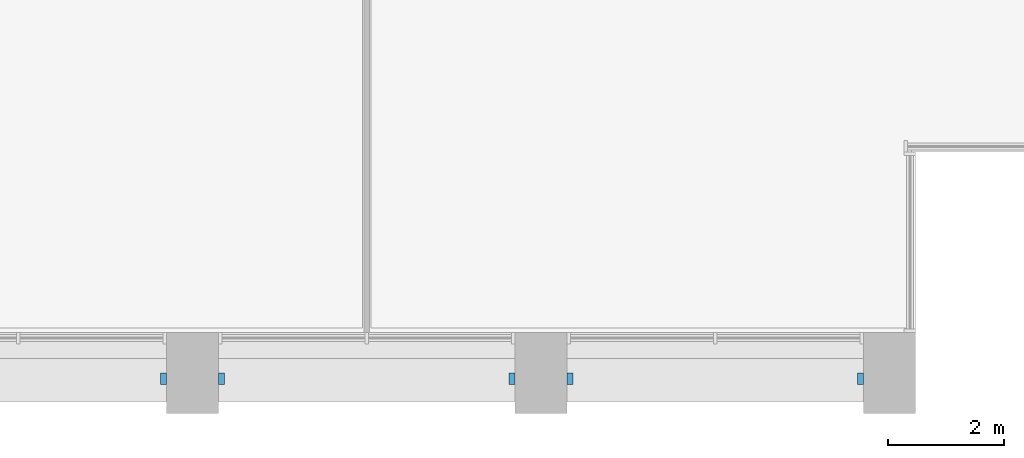
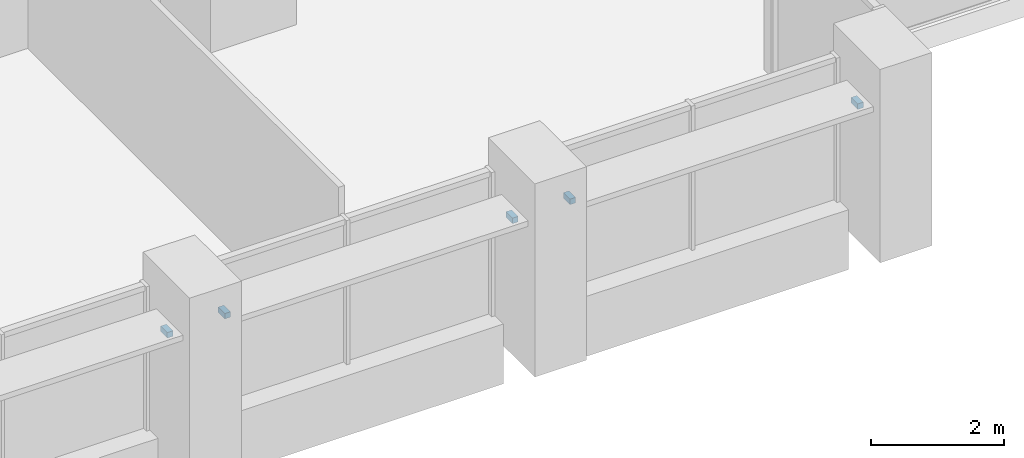
# One storey, part 16 of 18: 5 discrete accessories.
"""IFC4 building model written with IfcOpenShell, lengths in metres."""

from ifc_helpers import new_model, si_unit, direction, frame, origin, origin_2d, place, context, subcontext, project, spatial, rectangle, extrude, element, save


model = new_model("IFC4")

# Units and contexts
model_context = context("Model", 3, precision=1e-05, world=origin(), true_north=direction((0.0, 1.0)))
body_context = subcontext(model_context, "Body", "Model", "MODEL_VIEW")
ifc_project = project(units=[si_unit("LENGTHUNIT", "METRE"), si_unit("AREAUNIT", "SQUARE_METRE"), si_unit("VOLUMEUNIT", "CUBIC_METRE"), si_unit("PLANEANGLEUNIT", "RADIAN"), si_unit("MASSUNIT", "GRAM", prefix="KILO")], contexts=[model_context])

# Site, building, storey
site_placement = place(None, origin())
site = spatial("IfcSite", under=ifc_project, at=site_placement, CompositionType="ELEMENT")
building_placement = place(site_placement, origin())
building = spatial("IfcBuilding", under=site, at=building_placement, Name="Calvaro Tower", CompositionType="ELEMENT")
storey_placement = place(building_placement, frame((0.0, 0.0, 86.25)))
storey = spatial("IfcBuildingStorey", under=building, at=storey_placement, Name="L21", CompositionType="ELEMENT", Elevation=86.25)

# Discrete accessories
for number, where, z_axis, x_axis, name in (
    (1, (59.5, 0.60009765625, 2.14990234375), (0.0, 0.0, 1.0), (1.0, 0.0, 0.0), "Brise-soleil bracket"),
    (2, (60.5, 0.60009765625, 2.14990234375), (0.0, 0.0, 1.0), (1.0, 0.0, 0.0), "Brise-soleil bracket"),
    (3, (65.5, 0.60009765625, 2.14990234375), (0.0, 0.0, 1.0), (1.0, 0.0, 0.0), "Brise-soleil bracket"),
    (4, (66.5, 0.60009765625, 2.14990234375), (0.0, 0.0, 1.0), (1.0, 0.0, 0.0), "Brise-soleil bracket"),
    (5, (71.5, 0.60009765625, 2.14990234375), (0.0, 0.0, 1.0), (1.0, 0.0, 0.0), "Brise-soleil bracket"),
):
    element("IfcDiscreteAccessory", number, at=place(storey_placement, frame(where, z_axis=z_axis, x_axis=x_axis)), inside=storey, Name=name, PredefinedType="BRACKET", context=body_context, shape_type="SweptSolid", body=[
        extrude(rectangle(XDim=0.10009765625, YDim=0.199951171875, at=origin_2d()), origin(), (0.0, 0.0, 1.0), 0.10009765625),
    ])

save(model, "model.ifc")
